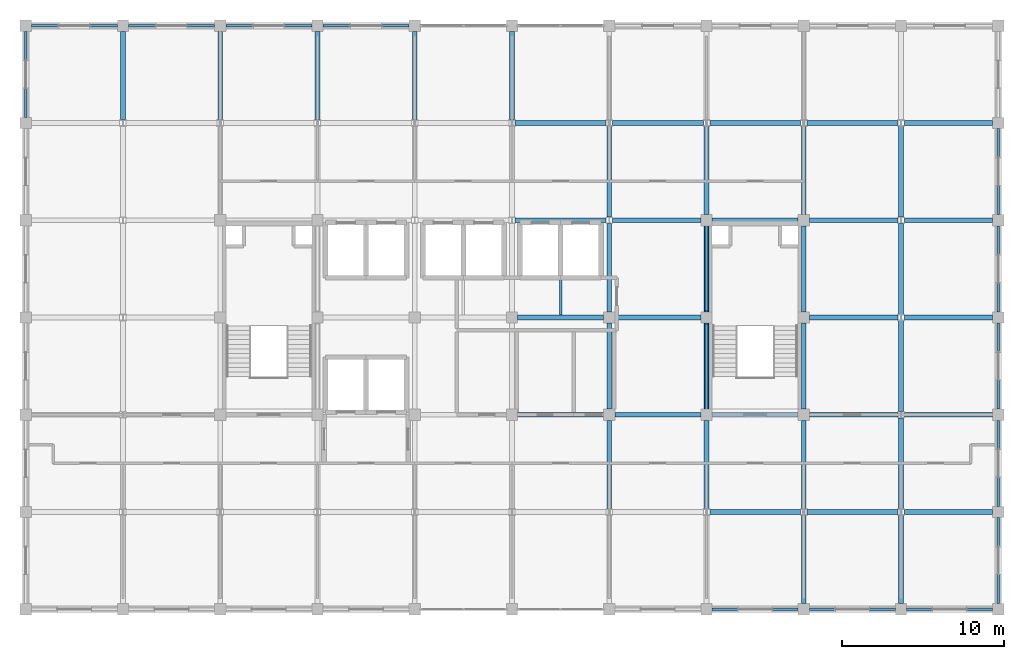
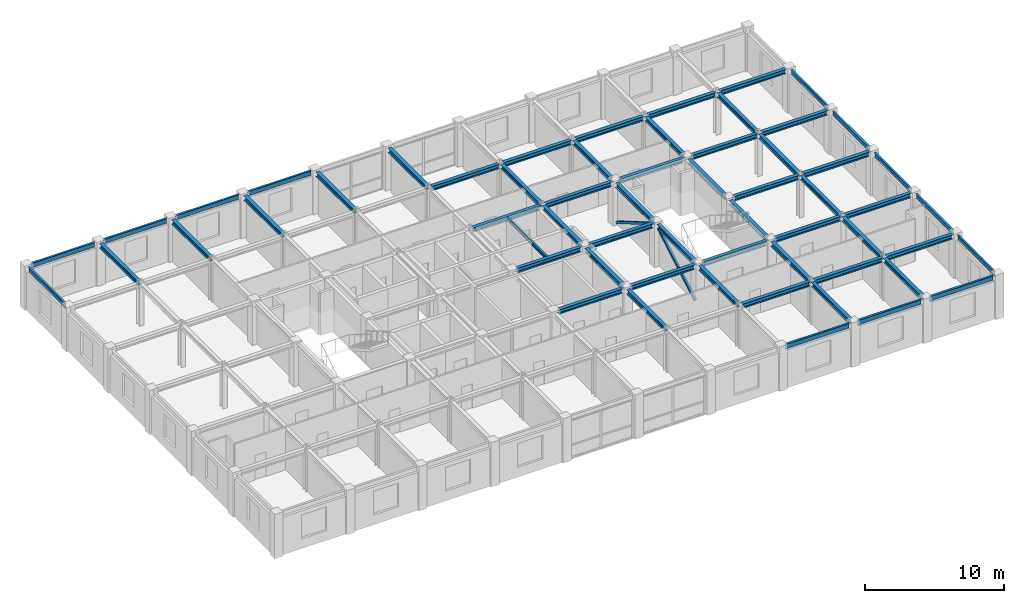
# One storey, part 7 of 14: 59 beams, 2 members.
"""IFC4 building model written with IfcOpenShell, lengths in metres."""

from ifc_helpers import new_model, si_unit, direction, frame, origin, origin_2d, place, context, subcontext, project, spatial, hollow_rectangle, i_section, extrude, material, material_profile, profile_set, type_object, element, save


model = new_model("IFC4")

# Units and contexts
model_context = context("Model", 3, precision=1e-05, world=origin(), true_north=direction((0.0, 1.0)))
body_context = subcontext(model_context, "Body", "Model", "MODEL_VIEW")
ifc_project = project(units=[si_unit("LENGTHUNIT", "METRE"), si_unit("AREAUNIT", "SQUARE_METRE"), si_unit("VOLUMEUNIT", "CUBIC_METRE"), si_unit("PLANEANGLEUNIT", "RADIAN"), si_unit("MASSUNIT", "GRAM", prefix="KILO")], contexts=[model_context])

# Site, building, storey
site_placement = place(None, origin())
site = spatial("IfcSite", under=ifc_project, at=site_placement, CompositionType="ELEMENT")
building_placement = place(site_placement, origin())
building = spatial("IfcBuilding", under=site, at=building_placement, Name="Zlatovratsky Civic Hall", CompositionType="ELEMENT")
storey_placement = place(building_placement, frame((0.0, 0.0, 28.800048828125)))
storey = spatial("IfcBuildingStorey", under=building, at=storey_placement, Name="L07", CompositionType="ELEMENT", Elevation=28.800048828125)

# Beams
ifc_material = material(Name="Steel S355", Category="steel")
ifc_material_profile_1 = material_profile(ifc_material, i_section(OverallWidth=0.169921875, OverallDepth=0.446044921875, WebThickness=0.007568359375, FlangeThickness=0.010986328125, FilletRadius=0.01611328125, at=origin_2d()), Name="45B1")
ifc_profile_set_1 = profile_set([ifc_material_profile_1], Name="Steel S355")
beam_type_1 = type_object("IfcBeamType", Name="Beam_Spandrel_45B1", PredefinedType="SPANDREL", material=ifc_profile_set_1)
for number, where, z_axis, x_axis, name in (
    (1, (96.35009765625, 72.0, 3.516845703125), (1.0, 0.0, 0.0), (0.0, 1.0, 0.0), "BM-4252"),
    (2, (102.35009765625, 72.0, 3.516845703125), (1.0, 0.0, 0.0), (0.0, 1.0, 0.0), "BM-4253"),
    (3, (108.35009765625, 72.0, 3.516845703125), (1.0, 0.0, 0.0), (0.0, 1.0, 0.0), "BM-4254"),
    (4, (54.35009765625, 108.0, 3.516845703125), (1.0, 0.0, 0.0), (0.0, 1.0, 0.0), "BM-4303"),
    (5, (60.35009765625, 108.0, 3.516845703125), (1.0, 0.0, 0.0), (0.0, 1.0, 0.0), "BM-4304"),
    (6, (66.35009765625, 108.0, 3.516845703125), (1.0, 0.0, 0.0), (0.0, 1.0, 0.0), "BM-4305"),
    (7, (72.35009765625, 108.0, 3.516845703125), (1.0, 0.0, 0.0), (0.0, 1.0, 0.0), "BM-4306"),
    (8, (54.0, 102.35009765625, 3.516845703125), (0.0, 1.0, 0.0), (-1.0, 0.0, 0.0), "BM-4318"),
    (9, (114.0, 72.35009765625, 3.516845703125), (0.0, 1.0, 0.0), (-1.0, 0.0, 0.0), "BM-4373"),
    (10, (114.0, 78.35009765625, 3.516845703125), (0.0, 1.0, 0.0), (-1.0, 0.0, 0.0), "BM-4374"),
    (11, (114.0, 84.35009765625, 3.516845703125), (0.0, 1.0, 0.0), (-1.0, 0.0, 0.0), "BM-4375"),
    (12, (114.0, 90.35009765625, 3.516845703125), (0.0, 1.0, 0.0), (-1.0, 0.0, 0.0), "BM-4376"),
    (13, (114.0, 96.35009765625, 3.516845703125), (0.0, 1.0, 0.0), (-1.0, 0.0, 0.0), "BM-4377"),
):
    element("IfcBeam", number, at=place(storey_placement, frame(where, z_axis=z_axis, x_axis=x_axis)), inside=storey, type_object=beam_type_1, Name=name, PredefinedType="SPANDREL", context=body_context, shape_type="SweptSolid", body=[
        extrude(i_section(OverallWidth=0.169921875, OverallDepth=0.446044921875, WebThickness=0.007568359375, FlangeThickness=0.010986328125, FilletRadius=0.01611328125, at=origin_2d()), origin(), (0.0, 0.0, 1.0), 5.2998046875),
    ])
ifc_material_profile_2 = material_profile(ifc_material, i_section(OverallWidth=0.300048828125, OverallDepth=0.387939453125, WebThickness=0.009521484375, FlangeThickness=0.013916015625, FilletRadius=0.02197265625, at=origin_2d()), Name="40Sh1")
ifc_profile_set_2 = profile_set([ifc_material_profile_2], Name="Steel S355")
beam_type_2 = type_object("IfcBeamType", Name="Beam_TowerMid_40Sh1", PredefinedType="BEAM", material=ifc_profile_set_2)
for number, where, z_axis, x_axis, name in (
    (14, (96.198974609375, 78.0, 3.5458984375), (1.0, 0.0, 0.0), (0.0, 1.0, 0.0), "BM-4262"),
    (15, (102.198974609375, 78.0, 3.5458984375), (1.0, 0.0, 0.0), (0.0, 1.0, 0.0), "BM-4263"),
):
    element("IfcBeam", number, at=place(storey_placement, frame(where, z_axis=z_axis, x_axis=x_axis)), inside=storey, type_object=beam_type_2, Name=name, PredefinedType="BEAM", context=body_context, shape_type="SweptSolid", body=[
        extrude(i_section(OverallWidth=0.300048828125, OverallDepth=0.387939453125, WebThickness=0.009521484375, FlangeThickness=0.013916015625, FilletRadius=0.02197265625, at=origin_2d()), origin(), (0.0, 0.0, 1.0), 5.60205078125),
    ])
beam_1_placement = place(storey_placement, frame((108.198974609375, 78.0, 3.5458984375), z_axis=(1.0, 0.0, 0.0), x_axis=(0.0, 1.0, 0.0)))
element("IfcBeam", 16, at=beam_1_placement, inside=storey, type_object=beam_type_2, Name="BM-4264", PredefinedType="BEAM", context=body_context, shape_type="SweptSolid", body=[
    extrude(i_section(OverallWidth=0.300048828125, OverallDepth=0.387939453125, WebThickness=0.009521484375, FlangeThickness=0.013916015625, FilletRadius=0.02197265625, at=origin_2d()), origin(), (0.0, 0.0, 1.0), 5.450927734375),
])
for number, where, z_axis, x_axis, name in (
    (17, (84.35009765625, 84.0, 3.5458984375), (1.0, 0.0, 0.0), (0.0, 1.0, 0.0), "BM-4270"),
    (18, (90.35009765625, 84.0, 3.5458984375), (1.0, 0.0, 0.0), (0.0, 1.0, 0.0), "BM-4271"),
    (19, (96.35009765625, 84.0, 3.5458984375), (1.0, 0.0, 0.0), (0.0, 1.0, 0.0), "BM-4272"),
):
    element("IfcBeam", number, at=place(storey_placement, frame(where, z_axis=z_axis, x_axis=x_axis)), inside=storey, type_object=beam_type_2, Name=name, PredefinedType="BEAM", context=body_context, shape_type="SweptSolid", body=[
        extrude(i_section(OverallWidth=0.300048828125, OverallDepth=0.387939453125, WebThickness=0.009521484375, FlangeThickness=0.013916015625, FilletRadius=0.02197265625, at=origin_2d()), origin(), (0.0, 0.0, 1.0), 5.2998046875),
    ])
for number, where, z_axis, x_axis, name in (
    (20, (102.35009765625, 84.0, 3.5458984375), (1.0, 0.0, 0.0), (0.0, 1.0, 0.0), "BM-4273"),
    (21, (108.198974609375, 84.0, 3.5458984375), (1.0, 0.0, 0.0), (0.0, 1.0, 0.0), "BM-4274"),
):
    element("IfcBeam", number, at=place(storey_placement, frame(where, z_axis=z_axis, x_axis=x_axis)), inside=storey, type_object=beam_type_2, Name=name, PredefinedType="BEAM", context=body_context, shape_type="SweptSolid", body=[
        extrude(i_section(OverallWidth=0.300048828125, OverallDepth=0.387939453125, WebThickness=0.009521484375, FlangeThickness=0.013916015625, FilletRadius=0.02197265625, at=origin_2d()), origin(), (0.0, 0.0, 1.0), 5.450927734375),
    ])
for number, where, z_axis, x_axis, name in (
    (22, (84.35009765625, 90.0, 3.5458984375), (1.0, 0.0, 0.0), (0.0, 1.0, 0.0), "BM-4279"),
    (23, (90.35009765625, 90.0, 3.5458984375), (1.0, 0.0, 0.0), (0.0, 1.0, 0.0), "BM-4280"),
):
    element("IfcBeam", number, at=place(storey_placement, frame(where, z_axis=z_axis, x_axis=x_axis)), inside=storey, type_object=beam_type_2, Name=name, PredefinedType="BEAM", context=body_context, shape_type="SweptSolid", body=[
        extrude(i_section(OverallWidth=0.300048828125, OverallDepth=0.387939453125, WebThickness=0.009521484375, FlangeThickness=0.013916015625, FilletRadius=0.02197265625, at=origin_2d()), origin(), (0.0, 0.0, 1.0), 5.2998046875),
    ])
for number, where, z_axis, x_axis, name in (
    (24, (102.35009765625, 90.0, 3.5458984375), (1.0, 0.0, 0.0), (0.0, 1.0, 0.0), "BM-4281"),
    (25, (108.198974609375, 90.0, 3.5458984375), (1.0, 0.0, 0.0), (0.0, 1.0, 0.0), "BM-4282"),
):
    element("IfcBeam", number, at=place(storey_placement, frame(where, z_axis=z_axis, x_axis=x_axis)), inside=storey, type_object=beam_type_2, Name=name, PredefinedType="BEAM", context=body_context, shape_type="SweptSolid", body=[
        extrude(i_section(OverallWidth=0.300048828125, OverallDepth=0.387939453125, WebThickness=0.009521484375, FlangeThickness=0.013916015625, FilletRadius=0.02197265625, at=origin_2d()), origin(), (0.0, 0.0, 1.0), 5.450927734375),
    ])
beam_2_placement = place(storey_placement, frame((84.198974609375, 96.0, 3.5458984375), z_axis=(1.0, 0.0, 0.0), x_axis=(0.0, 1.0, 0.0)))
element("IfcBeam", 26, at=beam_2_placement, inside=storey, type_object=beam_type_2, Name="BM-4288", PredefinedType="BEAM", context=body_context, shape_type="SweptSolid", body=[
    extrude(i_section(OverallWidth=0.300048828125, OverallDepth=0.387939453125, WebThickness=0.009521484375, FlangeThickness=0.013916015625, FilletRadius=0.02197265625, at=origin_2d()), origin(), (0.0, 0.0, 1.0), 5.60205078125),
])
beam_3_placement = place(storey_placement, frame((90.198974609375, 96.0, 3.5458984375), z_axis=(1.0, 0.0, 0.0), x_axis=(0.0, 1.0, 0.0)))
element("IfcBeam", 27, at=beam_3_placement, inside=storey, type_object=beam_type_2, Name="BM-4289", PredefinedType="BEAM", context=body_context, shape_type="SweptSolid", body=[
    extrude(i_section(OverallWidth=0.300048828125, OverallDepth=0.387939453125, WebThickness=0.009521484375, FlangeThickness=0.013916015625, FilletRadius=0.02197265625, at=origin_2d()), origin(), (0.0, 0.0, 1.0), 5.450927734375),
])
beam_4_placement = place(storey_placement, frame((96.35009765625, 96.0, 3.5458984375), z_axis=(1.0, 0.0, 0.0), x_axis=(0.0, 1.0, 0.0)))
element("IfcBeam", 28, at=beam_4_placement, inside=storey, type_object=beam_type_2, Name="BM-4290", PredefinedType="BEAM", context=body_context, shape_type="SweptSolid", body=[
    extrude(i_section(OverallWidth=0.300048828125, OverallDepth=0.387939453125, WebThickness=0.009521484375, FlangeThickness=0.013916015625, FilletRadius=0.02197265625, at=origin_2d()), origin(), (0.0, 0.0, 1.0), 5.2998046875),
])
for number, where, z_axis, x_axis, name in (
    (29, (102.35009765625, 96.0, 3.5458984375), (1.0, 0.0, 0.0), (0.0, 1.0, 0.0), "BM-4291"),
    (30, (108.198974609375, 96.0, 3.5458984375), (1.0, 0.0, 0.0), (0.0, 1.0, 0.0), "BM-4292"),
):
    element("IfcBeam", number, at=place(storey_placement, frame(where, z_axis=z_axis, x_axis=x_axis)), inside=storey, type_object=beam_type_2, Name=name, PredefinedType="BEAM", context=body_context, shape_type="SweptSolid", body=[
        extrude(i_section(OverallWidth=0.300048828125, OverallDepth=0.387939453125, WebThickness=0.009521484375, FlangeThickness=0.013916015625, FilletRadius=0.02197265625, at=origin_2d()), origin(), (0.0, 0.0, 1.0), 5.450927734375),
    ])
for number, where, z_axis, x_axis, name in (
    (31, (84.198974609375, 102.0, 3.5458984375), (1.0, 0.0, 0.0), (0.0, 1.0, 0.0), "BM-4298"),
    (32, (90.198974609375, 102.0, 3.5458984375), (1.0, 0.0, 0.0), (0.0, 1.0, 0.0), "BM-4299"),
    (33, (96.198974609375, 102.0, 3.5458984375), (1.0, 0.0, 0.0), (0.0, 1.0, 0.0), "BM-4300"),
    (34, (102.198974609375, 102.0, 3.5458984375), (1.0, 0.0, 0.0), (0.0, 1.0, 0.0), "BM-4301"),
):
    element("IfcBeam", number, at=place(storey_placement, frame(where, z_axis=z_axis, x_axis=x_axis)), inside=storey, type_object=beam_type_2, Name=name, PredefinedType="BEAM", context=body_context, shape_type="SweptSolid", body=[
        extrude(i_section(OverallWidth=0.300048828125, OverallDepth=0.387939453125, WebThickness=0.009521484375, FlangeThickness=0.013916015625, FilletRadius=0.02197265625, at=origin_2d()), origin(), (0.0, 0.0, 1.0), 5.60205078125),
    ])
beam_5_placement = place(storey_placement, frame((108.198974609375, 102.0, 3.5458984375), z_axis=(1.0, 0.0, 0.0), x_axis=(0.0, 1.0, 0.0)))
element("IfcBeam", 35, at=beam_5_placement, inside=storey, type_object=beam_type_2, Name="BM-4302", PredefinedType="BEAM", context=body_context, shape_type="SweptSolid", body=[
    extrude(i_section(OverallWidth=0.300048828125, OverallDepth=0.387939453125, WebThickness=0.009521484375, FlangeThickness=0.013916015625, FilletRadius=0.02197265625, at=origin_2d()), origin(), (0.0, 0.0, 1.0), 5.450927734375),
])
for number, where, z_axis, x_axis, name in (
    (36, (60.0, 102.197021484375, 3.5458984375), (0.0, 1.0, 0.0), (-1.0, 0.0, 0.0), "BM-4324"),
    (37, (66.0, 102.197021484375, 3.5458984375), (0.0, 1.0, 0.0), (-1.0, 0.0, 0.0), "BM-4330"),
    (38, (72.0, 102.197021484375, 3.5458984375), (0.0, 1.0, 0.0), (-1.0, 0.0, 0.0), "BM-4336"),
    (39, (78.0, 102.197021484375, 3.5458984375), (0.0, 1.0, 0.0), (-1.0, 0.0, 0.0), "BM-4342"),
    (40, (84.0, 102.197021484375, 3.5458984375), (0.0, 1.0, 0.0), (-1.0, 0.0, 0.0), "BM-4348"),
    (41, (90.0, 78.197021484375, 3.5458984375), (0.0, 1.0, 0.0), (-1.0, 0.0, 0.0), "BM-4350"),
):
    element("IfcBeam", number, at=place(storey_placement, frame(where, z_axis=z_axis, x_axis=x_axis)), inside=storey, type_object=beam_type_2, Name=name, PredefinedType="BEAM", context=body_context, shape_type="SweptSolid", body=[
        extrude(i_section(OverallWidth=0.300048828125, OverallDepth=0.387939453125, WebThickness=0.009521484375, FlangeThickness=0.013916015625, FilletRadius=0.02197265625, at=origin_2d()), origin(), (0.0, 0.0, 1.0), 5.452880859375),
    ])
beam_6_placement = place(storey_placement, frame((90.0, 84.35009765625, 3.5458984375), z_axis=(0.0, 1.0, 0.0), x_axis=(-1.0, 0.0, 0.0)))
element("IfcBeam", 42, at=beam_6_placement, inside=storey, type_object=beam_type_2, Name="BM-4351", PredefinedType="BEAM", context=body_context, shape_type="SweptSolid", body=[
    extrude(i_section(OverallWidth=0.300048828125, OverallDepth=0.387939453125, WebThickness=0.009521484375, FlangeThickness=0.013916015625, FilletRadius=0.02197265625, at=origin_2d()), origin(), (0.0, 0.0, 1.0), 5.2998046875),
])
beam_7_placement = place(storey_placement, frame((90.0, 90.35009765625, 3.5458984375), z_axis=(0.0, 1.0, 0.0), x_axis=(-1.0, 0.0, 0.0)))
element("IfcBeam", 43, at=beam_7_placement, inside=storey, type_object=beam_type_2, Name="BM-4352", PredefinedType="BEAM", context=body_context, shape_type="SweptSolid", body=[
    extrude(i_section(OverallWidth=0.300048828125, OverallDepth=0.387939453125, WebThickness=0.009521484375, FlangeThickness=0.013916015625, FilletRadius=0.02197265625, at=origin_2d()), origin(), (0.0, 0.0, 1.0), 5.452880859375),
])
beam_8_placement = place(storey_placement, frame((90.0, 96.197021484375, 3.5458984375), z_axis=(0.0, 1.0, 0.0), x_axis=(-1.0, 0.0, 0.0)))
element("IfcBeam", 44, at=beam_8_placement, inside=storey, type_object=beam_type_2, Name="BM-4353", PredefinedType="BEAM", context=body_context, shape_type="SweptSolid", body=[
    extrude(i_section(OverallWidth=0.300048828125, OverallDepth=0.387939453125, WebThickness=0.009521484375, FlangeThickness=0.013916015625, FilletRadius=0.02197265625, at=origin_2d()), origin(), (0.0, 0.0, 1.0), 5.60595703125),
])
beam_9_placement = place(storey_placement, frame((96.0, 78.197021484375, 3.5458984375), z_axis=(0.0, 1.0, 0.0), x_axis=(-1.0, 0.0, 0.0)))
element("IfcBeam", 45, at=beam_9_placement, inside=storey, type_object=beam_type_2, Name="BM-4356", PredefinedType="BEAM", context=body_context, shape_type="SweptSolid", body=[
    extrude(i_section(OverallWidth=0.300048828125, OverallDepth=0.387939453125, WebThickness=0.009521484375, FlangeThickness=0.013916015625, FilletRadius=0.02197265625, at=origin_2d()), origin(), (0.0, 0.0, 1.0), 5.452880859375),
])
for number, where, z_axis, x_axis, name in (
    (46, (96.0, 84.35009765625, 3.5458984375), (0.0, 1.0, 0.0), (-1.0, 0.0, 0.0), "BM-4357"),
    (47, (96.0, 90.35009765625, 3.5458984375), (0.0, 1.0, 0.0), (-1.0, 0.0, 0.0), "BM-4358"),
):
    element("IfcBeam", number, at=place(storey_placement, frame(where, z_axis=z_axis, x_axis=x_axis)), inside=storey, type_object=beam_type_2, Name=name, PredefinedType="BEAM", context=body_context, shape_type="SweptSolid", body=[
        extrude(i_section(OverallWidth=0.300048828125, OverallDepth=0.387939453125, WebThickness=0.009521484375, FlangeThickness=0.013916015625, FilletRadius=0.02197265625, at=origin_2d()), origin(), (0.0, 0.0, 1.0), 5.2998046875),
    ])
for number, where, z_axis, x_axis, name in (
    (48, (96.0, 96.35009765625, 3.5458984375), (0.0, 1.0, 0.0), (-1.0, 0.0, 0.0), "BM-4359"),
    (49, (102.0, 72.35009765625, 3.5458984375), (0.0, 1.0, 0.0), (-1.0, 0.0, 0.0), "BM-4361"),
    (50, (102.0, 78.197021484375, 3.5458984375), (0.0, 1.0, 0.0), (-1.0, 0.0, 0.0), "BM-4362"),
):
    element("IfcBeam", number, at=place(storey_placement, frame(where, z_axis=z_axis, x_axis=x_axis)), inside=storey, type_object=beam_type_2, Name=name, PredefinedType="BEAM", context=body_context, shape_type="SweptSolid", body=[
        extrude(i_section(OverallWidth=0.300048828125, OverallDepth=0.387939453125, WebThickness=0.009521484375, FlangeThickness=0.013916015625, FilletRadius=0.02197265625, at=origin_2d()), origin(), (0.0, 0.0, 1.0), 5.452880859375),
    ])
for number, where, z_axis, x_axis, name in (
    (51, (102.0, 84.35009765625, 3.5458984375), (0.0, 1.0, 0.0), (-1.0, 0.0, 0.0), "BM-4363"),
    (52, (102.0, 90.35009765625, 3.5458984375), (0.0, 1.0, 0.0), (-1.0, 0.0, 0.0), "BM-4364"),
):
    element("IfcBeam", number, at=place(storey_placement, frame(where, z_axis=z_axis, x_axis=x_axis)), inside=storey, type_object=beam_type_2, Name=name, PredefinedType="BEAM", context=body_context, shape_type="SweptSolid", body=[
        extrude(i_section(OverallWidth=0.300048828125, OverallDepth=0.387939453125, WebThickness=0.009521484375, FlangeThickness=0.013916015625, FilletRadius=0.02197265625, at=origin_2d()), origin(), (0.0, 0.0, 1.0), 5.2998046875),
    ])
for number, where, z_axis, x_axis, name in (
    (53, (102.0, 96.35009765625, 3.5458984375), (0.0, 1.0, 0.0), (-1.0, 0.0, 0.0), "BM-4365"),
    (54, (108.0, 72.35009765625, 3.5458984375), (0.0, 1.0, 0.0), (-1.0, 0.0, 0.0), "BM-4367"),
):
    element("IfcBeam", number, at=place(storey_placement, frame(where, z_axis=z_axis, x_axis=x_axis)), inside=storey, type_object=beam_type_2, Name=name, PredefinedType="BEAM", context=body_context, shape_type="SweptSolid", body=[
        extrude(i_section(OverallWidth=0.300048828125, OverallDepth=0.387939453125, WebThickness=0.009521484375, FlangeThickness=0.013916015625, FilletRadius=0.02197265625, at=origin_2d()), origin(), (0.0, 0.0, 1.0), 5.452880859375),
    ])
for number, where, z_axis, x_axis, name in (
    (55, (108.0, 78.197021484375, 3.5458984375), (0.0, 1.0, 0.0), (-1.0, 0.0, 0.0), "BM-4368"),
    (56, (108.0, 84.197021484375, 3.5458984375), (0.0, 1.0, 0.0), (-1.0, 0.0, 0.0), "BM-4369"),
    (57, (108.0, 90.197021484375, 3.5458984375), (0.0, 1.0, 0.0), (-1.0, 0.0, 0.0), "BM-4370"),
    (58, (108.0, 96.197021484375, 3.5458984375), (0.0, 1.0, 0.0), (-1.0, 0.0, 0.0), "BM-4371"),
):
    element("IfcBeam", number, at=place(storey_placement, frame(where, z_axis=z_axis, x_axis=x_axis)), inside=storey, type_object=beam_type_2, Name=name, PredefinedType="BEAM", context=body_context, shape_type="SweptSolid", body=[
        extrude(i_section(OverallWidth=0.300048828125, OverallDepth=0.387939453125, WebThickness=0.009521484375, FlangeThickness=0.013916015625, FilletRadius=0.02197265625, at=origin_2d()), origin(), (0.0, 0.0, 1.0), 5.60595703125),
    ])

# Members
ifc_material_profile_3 = material_profile(ifc_material, hollow_rectangle(XDim=0.199951171875, YDim=0.199951171875, WallThickness=0.010009765625, at=origin_2d()), Name="SHS 200x200x10")
ifc_profile_set_3 = profile_set([ifc_material_profile_3], Name="Steel S355")
member_type = type_object("IfcMemberType", Name="Brace_TowerLow_SHS200", PredefinedType="BRACE", material=ifc_profile_set_3)
for number, where, z_axis, x_axis, name in (
    (59, (96.0, 84.35009765625, 0.25), (0.0, 0.863189891905, 0.504879401949), (-1.0, 0.0, 0.0), "MB-0134"),
    (60, (96.0, 90.35009765625, 3.349853515625), (0.0, 0.863189891905, -0.504879401949), (-1.0, 0.0, 0.0), "MB-0135"),
):
    element("IfcMember", number, at=place(storey_placement, frame(where, z_axis=z_axis, x_axis=x_axis)), inside=storey, type_object=member_type, Name=name, PredefinedType="BRACE", context=body_context, shape_type="SweptSolid", body=[
        extrude(hollow_rectangle(XDim=0.199951171875, YDim=0.199951171875, WallThickness=0.010009765625, at=origin_2d()), origin(), (0.0, 0.0, 1.0), 6.139892578125),
    ])

# Beam
ifc_material_profile_4 = material_profile(ifc_material, i_section(OverallWidth=0.14892578125, OverallDepth=0.2958984375, WebThickness=0.005615234375, FlangeThickness=0.008056640625, FilletRadius=0.012939453125, at=origin_2d()), Name="30B1")
ifc_profile_set_4 = profile_set([ifc_material_profile_4], Name="Steel S355")
beam_type_3 = type_object("IfcBeamType", Name="Joist_Tower_30B1", PredefinedType="JOIST", material=ifc_profile_set_4)
beam_10_placement = place(storey_placement, frame((87.0, 90.14990234375, 3.592041015625), z_axis=(0.0, 1.0, 0.0), x_axis=(-1.0, 0.0, 0.0)))
element("IfcBeam", 61, at=beam_10_placement, inside=storey, type_object=beam_type_3, Name="BM-4380", PredefinedType="JOIST", context=body_context, shape_type="SweptSolid", body=[
    extrude(i_section(OverallWidth=0.14892578125, OverallDepth=0.2958984375, WebThickness=0.005615234375, FlangeThickness=0.008056640625, FilletRadius=0.012939453125, at=origin_2d()), origin(), (0.0, 0.0, 1.0), 5.7001953125),
])

save(model, "model.ifc")
